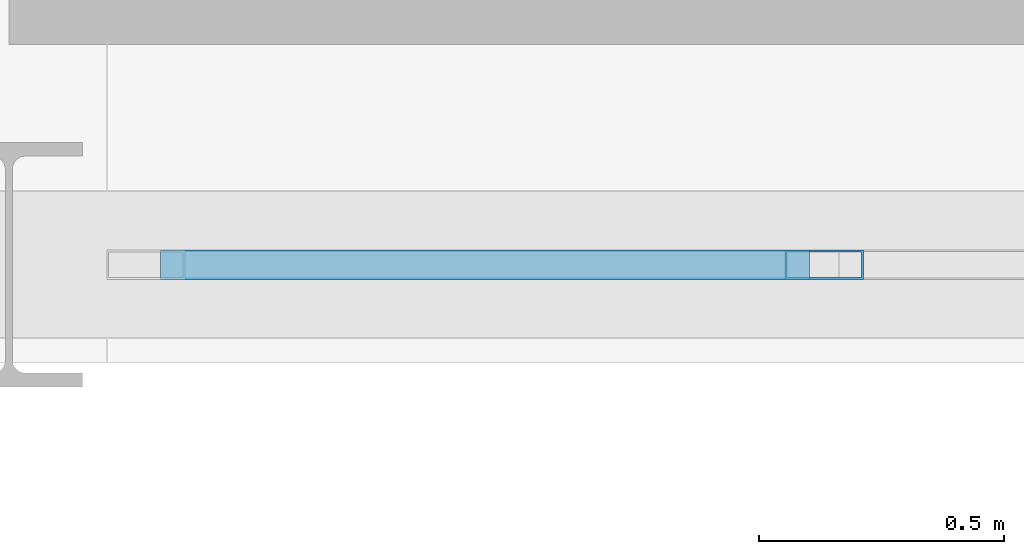
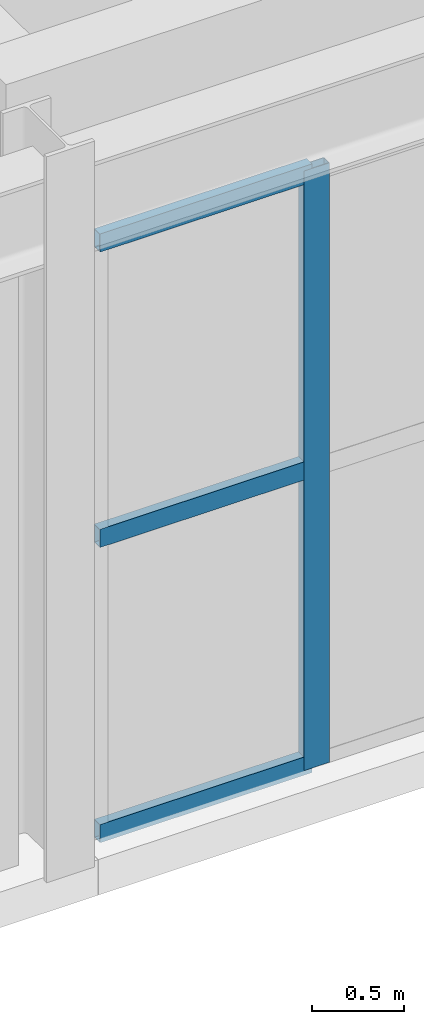
# One storey, part 32 of 112: 4 members, 1 element without a shape of its own.
"""IFC4 building model written with IfcOpenShell, lengths in metres."""

from ifc_helpers import new_model, si_unit, direction, frame, origin, origin_2d, place, context, subcontext, project, spatial, hollow_rectangle, extrude, material, material_profile, profile_set, type_object, element, aggregate, save


model = new_model("IFC4")

# Units and contexts
model_context = context("Model", 3, precision=1e-05, world=origin(), true_north=direction((0.0, 1.0)))
body_context = subcontext(model_context, "Body", "Model", "MODEL_VIEW")
ifc_project = project(units=[si_unit("LENGTHUNIT", "METRE"), si_unit("AREAUNIT", "SQUARE_METRE"), si_unit("VOLUMEUNIT", "CUBIC_METRE"), si_unit("PLANEANGLEUNIT", "RADIAN"), si_unit("MASSUNIT", "GRAM", prefix="KILO")], contexts=[model_context])

# Site, building, storey
site_placement = place(None, origin())
site = spatial("IfcSite", under=ifc_project, at=site_placement, CompositionType="ELEMENT")
building_placement = place(site_placement, origin())
building = spatial("IfcBuilding", under=site, at=building_placement, Name="Kaldris Quays Convention Centre", CompositionType="ELEMENT")
storey_placement = place(building_placement, frame((0.0, 0.0, 16.800048828125)))
storey = spatial("IfcBuildingStorey", under=building, at=storey_placement, Name="L03", CompositionType="ELEMENT", Elevation=16.800048828125)

# Curtain wall, members
ifc_material_1 = material(Name="Anodized aluminium AW-6060 and triple glazing", Category="aluminium")
curtain_wall_type = type_object("IfcCurtainWallType", Name="UNITISED CURTAIN WALL CW04", PredefinedType="NOTDEFINED", material=ifc_material_1)
curtain_wall_placement = place(storey_placement, origin())
curtain_wall = element("IfcCurtainWall", 1, at=curtain_wall_placement, inside=storey, type_object=curtain_wall_type, Name="L03 Unitised Curtain Wall CW04 126", PredefinedType="NOTDEFINED")
ifc_material_2 = material(Name="Anodized aluminium AW-6060", Category="aluminium")
ifc_material_profile_1 = material_profile(ifc_material_2, hollow_rectangle(XDim=0.06005859375, YDim=0.159912109375, WallThickness=0.00390625, at=origin_2d()), Name="RHS 160x60x4")
ifc_profile_set_1 = profile_set([ifc_material_profile_1], Name="Anodized aluminium AW-6060")
member_type_1 = type_object("IfcMemberType", Name="CURTAIN MULLION CWM1", PredefinedType="MULLION", material=ifc_profile_set_1)
member_1_placement = place(storey_placement, frame((129.666748046875, 38.0, 0.0), z_axis=(0.0, 0.0, 1.0), x_axis=(0.0, 1.0, 0.0)))
member_1 = element("IfcMember", 2, at=member_1_placement, type_object=member_type_1, Name="CW04 mullion 2", PredefinedType="MULLION", context=body_context, shape_type="SweptSolid", body=[
    extrude(hollow_rectangle(XDim=0.06005859375, YDim=0.159912109375, WallThickness=0.00390625, at=origin_2d()), origin(), (0.0, 0.0, 1.0), 3.96484375),
])
ifc_material_profile_2 = material_profile(ifc_material_2, hollow_rectangle(XDim=0.06005859375, YDim=0.1201171875, WallThickness=0.00390625, at=origin_2d()), Name="RHS 120x60x4")
ifc_profile_set_2 = profile_set([ifc_material_profile_2], Name="Anodized aluminium AW-6060")
member_type_2 = type_object("IfcMemberType", Name="CURTAIN TRANSOM CWT1", PredefinedType="USERDEFINED", material=ifc_profile_set_2)
member_2_placement = place(storey_placement, frame((128.31005859375, 38.0, 0.030029296875), z_axis=(1.0, 0.0, 0.0), x_axis=(0.0, 1.0, 0.0)))
member_2 = element("IfcMember", 3, at=member_2_placement, type_object=member_type_2, Name="CW04 transom 1.1", ObjectType="TRANSOM", PredefinedType="USERDEFINED", context=body_context, shape_type="SweptSolid", body=[
    extrude(hollow_rectangle(XDim=0.06005859375, YDim=0.1201171875, WallThickness=0.00390625, at=origin_2d()), origin(), (0.0, 0.0, 1.0), 1.32666015625),
])
member_3_placement = place(storey_placement, frame((128.31005859375, 38.0, 1.98193359375), z_axis=(1.0, 0.0, 0.0), x_axis=(0.0, 1.0, 0.0)))
member_3 = element("IfcMember", 4, at=member_3_placement, type_object=member_type_2, Name="CW04 transom 1.2", ObjectType="TRANSOM", PredefinedType="USERDEFINED", context=body_context, shape_type="SweptSolid", body=[
    extrude(hollow_rectangle(XDim=0.06005859375, YDim=0.1201171875, WallThickness=0.00390625, at=origin_2d()), origin(), (0.0, 0.0, 1.0), 1.32666015625),
])
member_4_placement = place(storey_placement, frame((128.31005859375, 38.0, 3.93505859375), z_axis=(1.0, 0.0, 0.0), x_axis=(0.0, 1.0, 0.0)))
member_4 = element("IfcMember", 5, at=member_4_placement, type_object=member_type_2, Name="CW04 transom 1.3", ObjectType="TRANSOM", PredefinedType="USERDEFINED", context=body_context, shape_type="SweptSolid", body=[
    extrude(hollow_rectangle(XDim=0.06005859375, YDim=0.1201171875, WallThickness=0.00390625, at=origin_2d()), origin(), (0.0, 0.0, 1.0), 1.32666015625),
])
aggregate(curtain_wall, [member_1, member_2, member_3, member_4])

save(model, "model.ifc")
